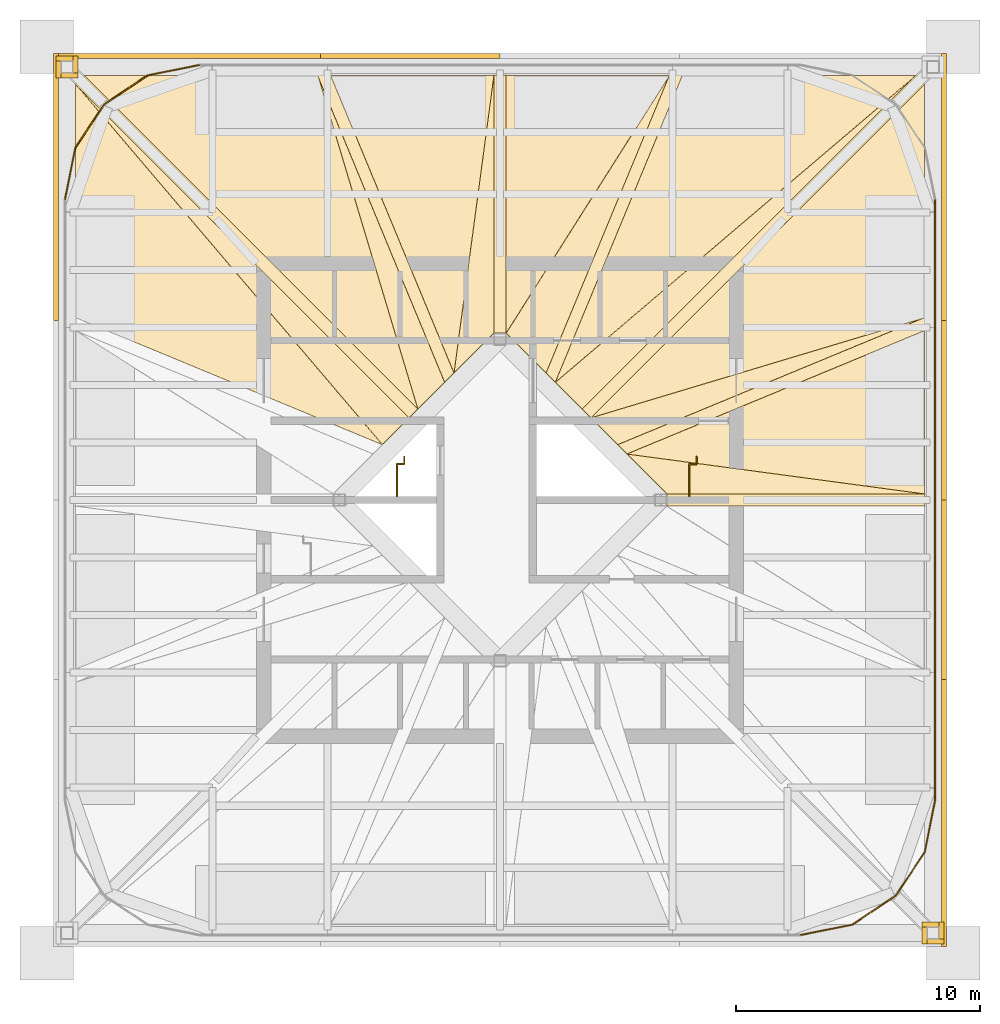
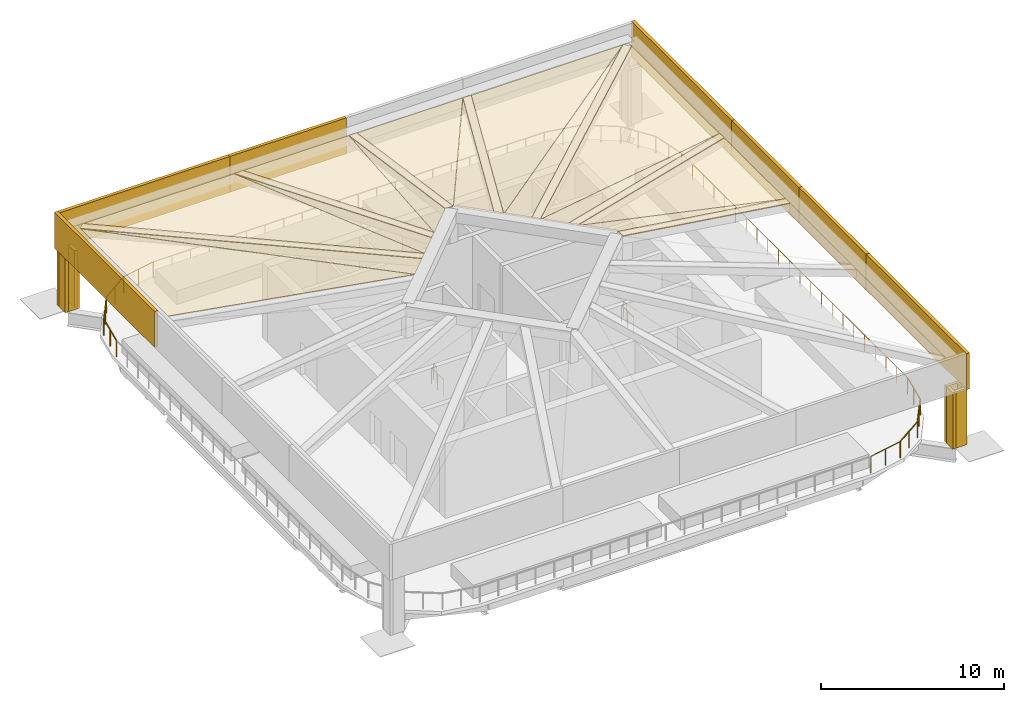
# One storey, part 5 of 7: 36 coverings, 11 railings.
"""IFC4 building model written with IfcOpenShell, lengths in metres."""

from ifc_helpers import new_model, si_unit, direction, frame, origin, origin_2d, place, context, subcontext, project, spatial, polyline, rectangle, circle, outline, extrude, material, type_object, element, save


model = new_model("IFC4")

# Units and contexts
model_context = context("Model", 3, precision=1e-05, world=origin(), true_north=direction((0.0, 1.0)))
body_context = subcontext(model_context, "Body", "Model", "MODEL_VIEW")
ifc_project = project(units=[si_unit("LENGTHUNIT", "METRE"), si_unit("AREAUNIT", "SQUARE_METRE"), si_unit("VOLUMEUNIT", "CUBIC_METRE"), si_unit("PLANEANGLEUNIT", "RADIAN"), si_unit("MASSUNIT", "GRAM", prefix="KILO")], contexts=[model_context])

# Site, building, storey
site_placement = place(None, origin())
site = spatial("IfcSite", under=ifc_project, at=site_placement, CompositionType="ELEMENT")
building_placement = place(site_placement, origin())
building = spatial("IfcBuilding", under=site, at=building_placement, Name="Turquesa Mirador Hotel Tower", CompositionType="ELEMENT")
storey_placement = place(building_placement, frame((0.0, 0.0, 272.199951171875)))
storey = spatial("IfcBuildingStorey", under=building, at=storey_placement, Name="RF", CompositionType="ELEMENT", Elevation=272.199951171875)

# Coverings
ifc_material_1 = material(Name="Laminated glass 30 with turquoise ceramic frit", Category="glass")
covering_type_1 = type_object("IfcCoveringType", Name="CANOPY GLAZING FRITTED LAMINATED GLASS 30", PredefinedType="ROOFING", material=ifc_material_1)
covering_1_placement = place(storey_placement, frame((72.36279296875, 45.254638671875, 5.540771484375), z_axis=(0.140146543021, 0.152174442535, 0.978366948296), x_axis=(-0.989895618344, 0.0, 0.141797971716)))
element("IfcCovering", 1, at=covering_1_placement, inside=storey, type_object=covering_type_1, Name="Canopy glazing panel 00A", PredefinedType="ROOFING", context=body_context, shape_type="SweptSolid", body=[
    extrude(outline(polyline([(0.0, 0.0), (10.618030823371836, -2.7755575615628914e-17), (12.22715590654455, -1.6476065702198543), (0.0, 0.0)])), origin(), (0.0, 0.0, -1.0), 0.030029296875),
])
covering_2_placement = place(storey_placement, frame((72.413818359375, 45.2509765625, 5.53369140625), z_axis=(0.121417439847, -0.000507131584, 0.992601404451), x_axis=(-0.98391055485, 0.13197959715, 0.120421783704)))
element("IfcCovering", 2, at=covering_2_placement, inside=storey, type_object=covering_type_1, Name="Canopy glazing panel 00B", PredefinedType="ROOFING", context=body_context, shape_type="SweptSolid", body=[
    extrude(outline(polyline([(0.0, 0.0), (12.399451466125619, -2.671474153004283e-16), (0.8833473696446735, -6.631366761543991), (0.0, 0.0)])), origin(), (0.0, 0.0, -1.0), 0.030029296875),
])
covering_3_placement = place(storey_placement, frame((72.347412109375, 52.45751953125, 5.521728515625), z_axis=(0.0864843884, 0.083829465191, 0.992720036732), x_axis=(-0.918058050237, -0.380269524934, 0.112091501911)))
element("IfcCovering", 3, at=covering_3_placement, inside=storey, type_object=covering_type_1, Name="Canopy glazing panel 01A", PredefinedType="ROOFING", context=body_context, shape_type="SweptSolid", body=[
    extrude(outline(polyline([(0.0, 0.0), (13.634577880056401, 1.3877787807814457e-17), (14.224031544865808, -1.4326945707328618), (0.0, 0.0)])), origin(), (0.0, 0.0, -1.0), 0.030029296875),
])
covering_4_placement = place(storey_placement, frame((72.413330078125, 52.48291015625, 5.513671875), z_axis=(0.112593240769, -0.002736664847, 0.993637395028), x_axis=(-0.952209765763, -0.286048563557, 0.107111069796)))
element("IfcCovering", 4, at=covering_4_placement, inside=storey, type_object=covering_type_1, Name="Canopy glazing panel 01B", PredefinedType="ROOFING", context=body_context, shape_type="SweptSolid", body=[
    extrude(outline(polyline([(0.0, 0.0), (14.371125632082473, 1.1796119636642288e-16), (-2.735657794729184, -9.174339874536502), (0.0, 0.0)])), origin(), (0.0, 0.0, -1.0), 0.030029296875),
])
covering_5_placement = place(storey_placement, frame((71.99560546875, 62.34912109375, 5.546875), z_axis=(0.053791096159, 0.056455563886, 0.996955007651), x_axis=(-0.704954897636, -0.704954897636, 0.077956299282)))
element("IfcCovering", 5, at=covering_5_placement, inside=storey, type_object=covering_type_1, Name="Canopy glazing panel 02A", PredefinedType="ROOFING", context=body_context, shape_type="SweptSolid", body=[
    extrude(outline(polyline([(0.0, 0.0), (19.32297543793521, 1.9606712087227862e-15), (19.322747050339657, -1.5502515051373624), (0.0, 0.0)])), origin(), (0.0, 0.0, -1.0), 0.030029296875),
])
covering_6_placement = place(storey_placement, frame((72.054931640625, 62.413818359375, 5.5400390625), z_axis=(-0.002733636071, 0.122318989595, 0.99248707398), x_axis=(-0.759250763198, -0.646161792557, 0.077544931642)))
element("IfcCovering", 6, at=covering_6_placement, inside=storey, type_object=covering_type_1, Name="Canopy glazing panel 02B", PredefinedType="ROOFING", context=body_context, shape_type="SweptSolid", body=[
    extrude(outline(polyline([(0.0, 0.0), (19.47270741814689, -2.0261570199409107e-15), (7.266261431425916, -6.232530115789368), (0.0, 0.0)])), origin(), (0.0, 0.0, -1.0), 0.030029296875),
])
covering_7_placement = place(storey_placement, frame((61.92919921875, 62.377197265625, 5.541259765625), z_axis=(0.094284064765, 0.082112226409, 0.992153263063), x_axis=(-0.380276827318, -0.918051901641, 0.112117083882)))
element("IfcCovering", 7, at=covering_7_placement, inside=storey, type_object=covering_type_1, Name="Canopy glazing panel 03A", PredefinedType="ROOFING", context=body_context, shape_type="SweptSolid", body=[
    extrude(outline(polyline([(0.0, 0.0), (13.250395494532532, -7.216449660063518e-16), (12.375079333425738, -2.1354155224615528), (0.0, 0.0)])), origin(), (0.0, 0.0, -1.0), 0.030029296875),
])
covering_8_placement = place(storey_placement, frame((61.939208984375, 62.414306640625, 5.537109375), z_axis=(-0.000469675937, 0.141792916437, 0.989896231053), x_axis=(-0.531180502718, -0.838733606668, 0.119888325443)))
element("IfcCovering", 8, at=covering_8_placement, inside=storey, type_object=covering_type_1, Name="Canopy glazing panel 03B", PredefinedType="ROOFING", context=body_context, shape_type="SweptSolid", body=[
    extrude(outline(polyline([(0.0, 0.0), (12.593099615185151, 5.412337245047638e-16), (3.5527968861685713, -5.667729809673278), (0.0, 0.0)])), origin(), (0.0, 0.0, -1.0), 0.030029296875),
])
covering_9_placement = place(storey_placement, frame((54.745361328125, 62.36279296875, 5.540771484375), z_axis=(-0.152174442535, 0.140146543021, 0.978366948296), x_axis=(0.0, -0.989895618344, 0.141797971716)))
element("IfcCovering", 9, at=covering_9_placement, inside=storey, type_object=covering_type_1, Name="Canopy glazing panel 04A", PredefinedType="ROOFING", context=body_context, shape_type="SweptSolid", body=[
    extrude(outline(polyline([(0.0, 0.0), (10.618030823371836, -2.7755575615628914e-17), (12.22715590654455, -1.6476065702198543), (0.0, 0.0)])), origin(), (0.0, 0.0, -1.0), 0.030029296875),
])
covering_10_placement = place(storey_placement, frame((54.7490234375, 62.413818359375, 5.53369140625), z_axis=(0.000507131584, 0.121417439847, 0.992601404451), x_axis=(-0.13197959715, -0.98391055485, 0.120421783704)))
element("IfcCovering", 10, at=covering_10_placement, inside=storey, type_object=covering_type_1, Name="Canopy glazing panel 04B", PredefinedType="ROOFING", context=body_context, shape_type="SweptSolid", body=[
    extrude(outline(polyline([(0.0, 0.0), (12.399451466125619, -2.671474153004283e-16), (0.8833473696446735, -6.631366761543991), (0.0, 0.0)])), origin(), (0.0, 0.0, -1.0), 0.030029296875),
])
covering_11_placement = place(storey_placement, frame((47.54248046875, 62.347412109375, 5.521728515625), z_axis=(-0.083829465191, 0.0864843884, 0.992720036732), x_axis=(0.380269524934, -0.918058050237, 0.112091501911)))
element("IfcCovering", 11, at=covering_11_placement, inside=storey, type_object=covering_type_1, Name="Canopy glazing panel 05A", PredefinedType="ROOFING", context=body_context, shape_type="SweptSolid", body=[
    extrude(outline(polyline([(0.0, 0.0), (13.634577880056401, 1.3877787807814457e-17), (14.224031544865808, -1.4326945707328618), (0.0, 0.0)])), origin(), (0.0, 0.0, -1.0), 0.030029296875),
])
covering_12_placement = place(storey_placement, frame((47.51708984375, 62.413330078125, 5.513671875), z_axis=(0.002736664847, 0.112593240769, 0.993637395028), x_axis=(0.286048563557, -0.952209765763, 0.107111069796)))
element("IfcCovering", 12, at=covering_12_placement, inside=storey, type_object=covering_type_1, Name="Canopy glazing panel 05B", PredefinedType="ROOFING", context=body_context, shape_type="SweptSolid", body=[
    extrude(outline(polyline([(0.0, 0.0), (14.371125632082473, 1.1796119636642288e-16), (-2.735657794729184, -9.174339874536502), (0.0, 0.0)])), origin(), (0.0, 0.0, -1.0), 0.030029296875),
])
covering_13_placement = place(storey_placement, frame((37.65087890625, 61.99560546875, 5.546875), z_axis=(-0.056455563886, 0.053791096159, 0.996955007651), x_axis=(0.704954897636, -0.704954897636, 0.077956299282)))
element("IfcCovering", 13, at=covering_13_placement, inside=storey, type_object=covering_type_1, Name="Canopy glazing panel 06A", PredefinedType="ROOFING", context=body_context, shape_type="SweptSolid", body=[
    extrude(outline(polyline([(0.0, 0.0), (19.32297543793521, 1.9606712087227862e-15), (19.322747050339657, -1.5502515051373624), (0.0, 0.0)])), origin(), (0.0, 0.0, -1.0), 0.030029296875),
])
covering_14_placement = place(storey_placement, frame((37.586181640625, 62.054931640625, 5.5400390625), z_axis=(-0.122318989595, -0.002733636071, 0.99248707398), x_axis=(0.646161792557, -0.759250763198, 0.077544931642)))
element("IfcCovering", 14, at=covering_14_placement, inside=storey, type_object=covering_type_1, Name="Canopy glazing panel 06B", PredefinedType="ROOFING", context=body_context, shape_type="SweptSolid", body=[
    extrude(outline(polyline([(0.0, 0.0), (19.47270741814689, -2.0261570199409107e-15), (7.266261431425916, -6.232530115789368), (0.0, 0.0)])), origin(), (0.0, 0.0, -1.0), 0.030029296875),
])
ifc_material_2 = material(Name="Aluminium, polyester powder coated", Category="aluminium")
covering_type_2 = type_object("IfcCoveringType", Name="CANOPY RIB CAPPING ALUMINIUM 500", PredefinedType="ROOFING", material=ifc_material_2)
covering_15_placement = place(storey_placement, frame((72.425048828125, 45.2470703125, 5.552490234375), z_axis=(0.141802259286, 0.0, 0.98989500416), x_axis=(-0.98989500416, 0.0, 0.141802259286)))
element("IfcCovering", 15, at=covering_15_placement, inside=storey, type_object=covering_type_2, Name="Canopy rib capping 00", PredefinedType="ROOFING", context=body_context, shape_type="SweptSolid", body=[
    extrude(outline(polyline([(0.0, 0.0), (10.677969193654548, 0.0), (10.677969193654548, 0.4941406250000001), (0.0, 0.4941406250000001), (0.0, 0.0)])), origin(), (0.0, 0.0, -1.0), 0.050048828125),
])
covering_16_placement = place(storey_placement, frame((72.42431640625, 52.48486328125, 5.53271484375), z_axis=(0.103661180195, 0.042679184692, 0.993696556759), x_axis=(-0.918049601042, -0.380286515965, 0.112103058841)))
element("IfcCovering", 16, at=covering_16_placement, inside=storey, type_object=covering_type_2, Name="Canopy rib capping 01", PredefinedType="ROOFING", context=body_context, shape_type="SweptSolid", body=[
    extrude(outline(polyline([(0.0, 0.0), (13.714211777663811, -2.122325752640375e-16), (13.505735021945688, 0.4938244459780998), (0.20840848133386103, 0.4942522946366913), (0.0, 0.0)])), origin(), (0.0, 0.0, -1.0), 0.050048828125),
])
covering_17_placement = place(storey_placement, frame((72.0693359375, 62.418701171875, 5.55908203125), z_axis=(0.055123793602, 0.055123793602, 0.996956736653), x_axis=(-0.704954869037, -0.704954869037, 0.077956816521)))
element("IfcCovering", 17, at=covering_17_placement, inside=storey, type_object=covering_type_2, Name="Canopy rib capping 02", PredefinedType="ROOFING", context=body_context, shape_type="SweptSolid", body=[
    extrude(outline(polyline([(0.0, 0.0), (19.42306297026465, 0.0), (19.423062970264652, 0.4940770526747791), (0.0, 0.49407705267478014), (0.0, 0.0)])), origin(), (0.0, 0.0, -1.0), 0.050048828125),
])
covering_18_placement = place(storey_placement, frame((61.948974609375, 62.422119140625, 5.555908203125), z_axis=(0.042679184692, 0.103661180195, 0.993696556759), x_axis=(-0.38025678932, -0.918061913305, 0.112103066484)))
element("IfcCovering", 18, at=covering_18_placement, inside=storey, type_object=covering_type_2, Name="Canopy rib capping 03", PredefinedType="ROOFING", context=body_context, shape_type="SweptSolid", body=[
    extrude(outline(polyline([(0.0, 0.0), (13.297326547494954, -5.950101522600448e-16), (13.505819192173247, 0.4938177378703442), (-0.20839257839164077, 0.4942590000362207), (0.0, 0.0)])), origin(), (0.0, 0.0, -1.0), 0.050048828125),
])
covering_19_placement = place(storey_placement, frame((54.7529296875, 62.425048828125, 5.552490234375), z_axis=(0.0, 0.141802259286, 0.98989500416), x_axis=(0.0, -0.98989500416, 0.141802259286)))
element("IfcCovering", 19, at=covering_19_placement, inside=storey, type_object=covering_type_2, Name="Canopy rib capping 04", PredefinedType="ROOFING", context=body_context, shape_type="SweptSolid", body=[
    extrude(outline(polyline([(0.0, 0.0), (10.677969193654548, 0.0), (10.677969193654548, 0.4941406250000001), (0.0, 0.4941406250000001), (0.0, 0.0)])), origin(), (0.0, 0.0, -1.0), 0.050048828125),
])
covering_20_placement = place(storey_placement, frame((47.51513671875, 62.42431640625, 5.53271484375), z_axis=(-0.042679184692, 0.103661180195, 0.993696556759), x_axis=(0.380286515965, -0.918049601042, 0.112103058841)))
element("IfcCovering", 20, at=covering_20_placement, inside=storey, type_object=covering_type_2, Name="Canopy rib capping 05", PredefinedType="ROOFING", context=body_context, shape_type="SweptSolid", body=[
    extrude(outline(polyline([(0.0, 0.0), (13.714211777663811, -2.122325752640375e-16), (13.505735021945688, 0.4938244459780998), (0.20840848133386103, 0.4942522946366913), (0.0, 0.0)])), origin(), (0.0, 0.0, -1.0), 0.050048828125),
])
covering_21_placement = place(storey_placement, frame((37.581298828125, 62.0693359375, 5.55908203125), z_axis=(-0.055123793602, 0.055123793602, 0.996956736653), x_axis=(0.704954869037, -0.704954869037, 0.077956816521)))
element("IfcCovering", 21, at=covering_21_placement, inside=storey, type_object=covering_type_2, Name="Canopy rib capping 06", PredefinedType="ROOFING", context=body_context, shape_type="SweptSolid", body=[
    extrude(outline(polyline([(0.0, 0.0), (19.42306297026465, 0.0), (19.423062970264652, 0.4940770526747791), (0.0, 0.49407705267478014), (0.0, 0.0)])), origin(), (0.0, 0.0, -1.0), 0.050048828125),
])
ifc_material_3 = material(Name="Glazed ceramic tile on aluminium carrier", Category="aluminium")
covering_type_3 = type_object("IfcCoveringType", Name="CROWN FASCIA 2400 GLAZED CERAMIC TILE", PredefinedType="CLADDING", material=ifc_material_3)
covering_22_placement = place(storey_placement, frame((73.219970703125, 32.15966796875, 3.800048828125), z_axis=(0.0, 0.0, 1.0), x_axis=(1.0, 0.0, 0.0)))
element("IfcCovering", 22, at=covering_22_placement, inside=storey, type_object=covering_type_3, Name="Crown fascia E1", PredefinedType="CLADDING", context=body_context, shape_type="SweptSolid", body=[
    extrude(rectangle(XDim=0.199951171875, YDim=10.95947265625, at=origin_2d()), origin(), (0.0, 0.0, 1.0), 2.39990234375),
])
for number, where, z_axis, x_axis, name in (
    (23, (73.219970703125, 41.31982421875, 3.800048828125), (0.0, 0.0, 1.0), (1.0, 0.0, 0.0), "Crown fascia E2"),
    (24, (73.219970703125, 48.68017578125, 3.800048828125), (0.0, 0.0, 1.0), (1.0, 0.0, 0.0), "Crown fascia E3"),
):
    element("IfcCovering", number, at=place(storey_placement, frame(where, z_axis=z_axis, x_axis=x_axis)), inside=storey, type_object=covering_type_3, Name=name, PredefinedType="CLADDING", context=body_context, shape_type="SweptSolid", body=[
        extrude(rectangle(XDim=0.199951171875, YDim=7.360595703125, at=origin_2d()), origin(), (0.0, 0.0, 1.0), 2.39990234375),
    ])
for number, where, z_axis, x_axis, name in (
    (25, (73.219970703125, 57.84033203125, 3.800048828125), (0.0, 0.0, 1.0), (1.0, 0.0, 0.0), "Crown fascia E4"),
    (26, (36.780029296875, 57.84033203125, 3.800048828125), (0.0, 0.0, 1.0), (1.0, 0.0, 0.0), "Crown fascia W4"),
):
    element("IfcCovering", number, at=place(storey_placement, frame(where, z_axis=z_axis, x_axis=x_axis)), inside=storey, type_object=covering_type_3, Name=name, PredefinedType="CLADDING", context=body_context, shape_type="SweptSolid", body=[
        extrude(rectangle(XDim=0.199951171875, YDim=10.95947265625, at=origin_2d()), origin(), (0.0, 0.0, 1.0), 2.39990234375),
    ])
covering_23_placement = place(storey_placement, frame((42.259765625, 63.219970703125, 3.800048828125), z_axis=(0.0, 0.0, 1.0), x_axis=(1.0, 0.0, 0.0)))
element("IfcCovering", 27, at=covering_23_placement, inside=storey, type_object=covering_type_3, Name="Crown fascia N1", PredefinedType="CLADDING", context=body_context, shape_type="SweptSolid", body=[
    extrude(rectangle(XDim=10.759521484375, YDim=0.199951171875, at=origin_2d()), origin(), (0.0, 0.0, 1.0), 2.39990234375),
])
covering_24_placement = place(storey_placement, frame((51.31982421875, 63.219970703125, 3.800048828125), z_axis=(0.0, 0.0, 1.0), x_axis=(1.0, 0.0, 0.0)))
element("IfcCovering", 28, at=covering_24_placement, inside=storey, type_object=covering_type_3, Name="Crown fascia N2", PredefinedType="CLADDING", context=body_context, shape_type="SweptSolid", body=[
    extrude(rectangle(XDim=7.360595703125, YDim=0.199951171875, at=origin_2d()), origin(), (0.0, 0.0, 1.0), 2.39990234375),
])

# Railings
ifc_material_4 = material(Name="Bronze-finish steel and laminated glass", Category="steel")
railing_type = type_object("IfcRailingType", Name="GUARD 1100 BRONZE AND GLASS", PredefinedType="GUARDRAIL", material=ifc_material_4)
railing_1_placement = place(storey_placement, frame((67.35009765625, 27.14990234375, 0.0)))
element("IfcRailing", 29, at=railing_1_placement, inside=storey, type_object=railing_type, Name="Sky garden guard", PredefinedType="GUARDRAIL", context=body_context, shape_type="SweptSolid", body=[
    extrude(circle(Radius=0.02392578125, at=origin_2d()), frame((0.0, 0.0, 1.076171875), z_axis=(0.980781438528, 0.195109635434, 0.0), x_axis=(-0.195109635434, 0.980781438528, 0.0)), (0.0, 0.0, 1.0), 2.14599609375),
    extrude(circle(Radius=0.02099609375, at=origin_2d()), origin(), (0.0, 0.0, 1.0), 1.052001953125),
    extrude(circle(Radius=0.02099609375, at=origin_2d()), frame((1.05224609375, 0.20947265625, 0.0)), (0.0, 0.0, 1.0), 1.052001953125),
    extrude(circle(Radius=0.02099609375, at=origin_2d()), frame((2.104736328125, 0.418701171875, 0.0)), (0.0, 0.0, 1.0), 1.052001953125),
])
railing_2_placement = place(storey_placement, frame((69.454833984375, 27.568603515625, 0.0)))
element("IfcRailing", 30, at=railing_2_placement, inside=storey, type_object=railing_type, Name="Sky garden guard", PredefinedType="GUARDRAIL", context=body_context, shape_type="SweptSolid", body=[
    extrude(circle(Radius=0.02392578125, at=origin_2d()), frame((0.0, 0.0, 1.076171875), z_axis=(0.831419655472, 0.555644991424, 0.0), x_axis=(-0.555644991424, 0.831419655472, 0.0)), (0.0, 0.0, 1.0), 2.14599609375),
    extrude(circle(Radius=0.02099609375, at=origin_2d()), origin(), (0.0, 0.0, 1.0), 1.052001953125),
    extrude(circle(Radius=0.02099609375, at=origin_2d()), frame((0.89208984375, 0.59619140625, 0.0)), (0.0, 0.0, 1.0), 1.052001953125),
    extrude(circle(Radius=0.02099609375, at=origin_2d()), frame((1.7841796875, 1.1923828125, 0.0)), (0.0, 0.0, 1.0), 1.052001953125),
])
railing_3_placement = place(storey_placement, frame((71.239013671875, 28.760986328125, 0.0)))
element("IfcRailing", 31, at=railing_3_placement, inside=storey, type_object=railing_type, Name="Sky garden guard", PredefinedType="GUARDRAIL", context=body_context, shape_type="SweptSolid", body=[
    extrude(circle(Radius=0.02392578125, at=origin_2d()), frame((0.0, 0.0, 1.076171875), z_axis=(0.555644991424, 0.831419655472, 0.0), x_axis=(-0.831419655472, 0.555644991424, 0.0)), (0.0, 0.0, 1.0), 2.14599609375),
    extrude(circle(Radius=0.02099609375, at=origin_2d()), origin(), (0.0, 0.0, 1.0), 1.052001953125),
    extrude(circle(Radius=0.02099609375, at=origin_2d()), frame((0.59619140625, 0.89208984375, 0.0)), (0.0, 0.0, 1.0), 1.052001953125),
    extrude(circle(Radius=0.02099609375, at=origin_2d()), frame((1.1923828125, 1.7841796875, 0.0)), (0.0, 0.0, 1.0), 1.052001953125),
])
railing_4_placement = place(storey_placement, frame((72.431396484375, 30.545166015625, 0.0)))
element("IfcRailing", 32, at=railing_4_placement, inside=storey, type_object=railing_type, Name="Sky garden guard", PredefinedType="GUARDRAIL", context=body_context, shape_type="SweptSolid", body=[
    extrude(circle(Radius=0.02392578125, at=origin_2d()), frame((0.0, 0.0, 1.076171875), z_axis=(0.195109635434, 0.980781438528, 0.0), x_axis=(-0.980781438528, 0.195109635434, 0.0)), (0.0, 0.0, 1.0), 2.14599609375),
    extrude(circle(Radius=0.02099609375, at=origin_2d()), origin(), (0.0, 0.0, 1.0), 1.052001953125),
    extrude(circle(Radius=0.02099609375, at=origin_2d()), frame((0.20947265625, 1.05224609375, 0.0)), (0.0, 0.0, 1.0), 1.052001953125),
    extrude(circle(Radius=0.02099609375, at=origin_2d()), frame((0.418701171875, 2.104736328125, 0.0)), (0.0, 0.0, 1.0), 1.052001953125),
])
railing_5_placement = place(storey_placement, frame((72.85009765625, 32.64990234375, 0.0)))
element("IfcRailing", 33, at=railing_5_placement, inside=storey, type_object=railing_type, Name="Sky garden guard", PredefinedType="GUARDRAIL", context=body_context, shape_type="SweptSolid", body=[
    extrude(circle(Radius=0.02392578125, at=origin_2d()), frame((0.0, 0.0, 1.076171875), z_axis=(0.0, 1.0, 0.0), x_axis=(-1.0, 0.0, 0.0)), (0.0, 0.0, 1.0), 24.7001953125),
    extrude(circle(Radius=0.02099609375, at=origin_2d()), origin(), (0.0, 0.0, 1.0), 1.052001953125),
    extrude(circle(Radius=0.02099609375, at=origin_2d()), frame((0.0, 1.17626953125, 0.0)), (0.0, 0.0, 1.0), 1.052001953125),
    extrude(circle(Radius=0.02099609375, at=origin_2d()), frame((0.0, 2.352294921875, 0.0)), (0.0, 0.0, 1.0), 1.052001953125),
    extrude(circle(Radius=0.02099609375, at=origin_2d()), frame((0.0, 3.528564453125, 0.0)), (0.0, 0.0, 1.0), 1.052001953125),
    extrude(circle(Radius=0.02099609375, at=origin_2d()), frame((0.0, 4.704833984375, 0.0)), (0.0, 0.0, 1.0), 1.052001953125),
    extrude(circle(Radius=0.02099609375, at=origin_2d()), frame((0.0, 5.881103515625, 0.0)), (0.0, 0.0, 1.0), 1.052001953125),
    extrude(circle(Radius=0.02099609375, at=origin_2d()), frame((0.0, 7.05712890625, 0.0)), (0.0, 0.0, 1.0), 1.052001953125),
    extrude(circle(Radius=0.02099609375, at=origin_2d()), frame((0.0, 8.2333984375, 0.0)), (0.0, 0.0, 1.0), 1.052001953125),
    extrude(circle(Radius=0.02099609375, at=origin_2d()), frame((0.0, 9.40966796875, 0.0)), (0.0, 0.0, 1.0), 1.052001953125),
    extrude(circle(Radius=0.02099609375, at=origin_2d()), frame((0.0, 10.585693359375, 0.0)), (0.0, 0.0, 1.0), 1.052001953125),
    extrude(circle(Radius=0.02099609375, at=origin_2d()), frame((0.0, 11.761962890625, 0.0)), (0.0, 0.0, 1.0), 1.052001953125),
    extrude(circle(Radius=0.02099609375, at=origin_2d()), frame((0.0, 12.938232421875, 0.0)), (0.0, 0.0, 1.0), 1.052001953125),
    extrude(circle(Radius=0.02099609375, at=origin_2d()), frame((0.0, 14.114501953125, 0.0)), (0.0, 0.0, 1.0), 1.052001953125),
    extrude(circle(Radius=0.02099609375, at=origin_2d()), frame((0.0, 15.29052734375, 0.0)), (0.0, 0.0, 1.0), 1.052001953125),
    extrude(circle(Radius=0.02099609375, at=origin_2d()), frame((0.0, 16.466796875, 0.0)), (0.0, 0.0, 1.0), 1.052001953125),
    extrude(circle(Radius=0.02099609375, at=origin_2d()), frame((0.0, 17.64306640625, 0.0)), (0.0, 0.0, 1.0), 1.052001953125),
    extrude(circle(Radius=0.02099609375, at=origin_2d()), frame((0.0, 18.819091796875, 0.0)), (0.0, 0.0, 1.0), 1.052001953125),
    extrude(circle(Radius=0.02099609375, at=origin_2d()), frame((0.0, 19.995361328125, 0.0)), (0.0, 0.0, 1.0), 1.052001953125),
    extrude(circle(Radius=0.02099609375, at=origin_2d()), frame((0.0, 21.171630859375, 0.0)), (0.0, 0.0, 1.0), 1.052001953125),
    extrude(circle(Radius=0.02099609375, at=origin_2d()), frame((0.0, 22.347900390625, 0.0)), (0.0, 0.0, 1.0), 1.052001953125),
    extrude(circle(Radius=0.02099609375, at=origin_2d()), frame((0.0, 23.52392578125, 0.0)), (0.0, 0.0, 1.0), 1.052001953125),
    extrude(circle(Radius=0.02099609375, at=origin_2d()), frame((0.0, 24.7001953125, 0.0)), (0.0, 0.0, 1.0), 1.052001953125),
])
railing_6_placement = place(storey_placement, frame((42.64990234375, 62.85009765625, 0.0)))
element("IfcRailing", 34, at=railing_6_placement, inside=storey, type_object=railing_type, Name="Sky garden guard", PredefinedType="GUARDRAIL", context=body_context, shape_type="SweptSolid", body=[
    extrude(circle(Radius=0.02392578125, at=origin_2d()), frame((0.0, 0.0, 1.076171875), z_axis=(-0.980781438528, -0.195109635434, 0.0), x_axis=(0.195109635434, -0.980781438528, 0.0)), (0.0, 0.0, 1.0), 2.14599609375),
    extrude(circle(Radius=0.02099609375, at=origin_2d()), origin(), (0.0, 0.0, 1.0), 1.052001953125),
    extrude(circle(Radius=0.02099609375, at=origin_2d()), frame((-1.05224609375, -0.20947265625, 0.0)), (0.0, 0.0, 1.0), 1.052001953125),
    extrude(circle(Radius=0.02099609375, at=origin_2d()), frame((-2.104736328125, -0.418701171875, 0.0)), (0.0, 0.0, 1.0), 1.052001953125),
])
railing_7_placement = place(storey_placement, frame((40.545166015625, 62.431396484375, 0.0)))
element("IfcRailing", 35, at=railing_7_placement, inside=storey, type_object=railing_type, Name="Sky garden guard", PredefinedType="GUARDRAIL", context=body_context, shape_type="SweptSolid", body=[
    extrude(circle(Radius=0.02392578125, at=origin_2d()), frame((0.0, 0.0, 1.076171875), z_axis=(-0.831419655472, -0.555644991424, 0.0), x_axis=(0.555644991424, -0.831419655472, 0.0)), (0.0, 0.0, 1.0), 2.14599609375),
    extrude(circle(Radius=0.02099609375, at=origin_2d()), origin(), (0.0, 0.0, 1.0), 1.052001953125),
    extrude(circle(Radius=0.02099609375, at=origin_2d()), frame((-0.89208984375, -0.59619140625, 0.0)), (0.0, 0.0, 1.0), 1.052001953125),
    extrude(circle(Radius=0.02099609375, at=origin_2d()), frame((-1.7841796875, -1.1923828125, 0.0)), (0.0, 0.0, 1.0), 1.052001953125),
])
railing_8_placement = place(storey_placement, frame((38.760986328125, 61.239013671875, 0.0)))
element("IfcRailing", 36, at=railing_8_placement, inside=storey, type_object=railing_type, Name="Sky garden guard", PredefinedType="GUARDRAIL", context=body_context, shape_type="SweptSolid", body=[
    extrude(circle(Radius=0.02392578125, at=origin_2d()), frame((0.0, 0.0, 1.076171875), z_axis=(-0.555644991424, -0.831419655472, 0.0), x_axis=(0.831419655472, -0.555644991424, 0.0)), (0.0, 0.0, 1.0), 2.14599609375),
    extrude(circle(Radius=0.02099609375, at=origin_2d()), origin(), (0.0, 0.0, 1.0), 1.052001953125),
    extrude(circle(Radius=0.02099609375, at=origin_2d()), frame((-0.59619140625, -0.89208984375, 0.0)), (0.0, 0.0, 1.0), 1.052001953125),
    extrude(circle(Radius=0.02099609375, at=origin_2d()), frame((-1.1923828125, -1.7841796875, 0.0)), (0.0, 0.0, 1.0), 1.052001953125),
])
railing_9_placement = place(storey_placement, frame((37.568603515625, 59.454833984375, 0.0)))
element("IfcRailing", 37, at=railing_9_placement, inside=storey, type_object=railing_type, Name="Sky garden guard", PredefinedType="GUARDRAIL", context=body_context, shape_type="SweptSolid", body=[
    extrude(circle(Radius=0.02392578125, at=origin_2d()), frame((0.0, 0.0, 1.076171875), z_axis=(-0.195109635434, -0.980781438528, 0.0), x_axis=(0.980781438528, -0.195109635434, 0.0)), (0.0, 0.0, 1.0), 2.14599609375),
    extrude(circle(Radius=0.02099609375, at=origin_2d()), origin(), (0.0, 0.0, 1.0), 1.052001953125),
    extrude(circle(Radius=0.02099609375, at=origin_2d()), frame((-0.20947265625, -1.05224609375, 0.0)), (0.0, 0.0, 1.0), 1.052001953125),
    extrude(circle(Radius=0.02099609375, at=origin_2d()), frame((-0.418701171875, -2.104736328125, 0.0)), (0.0, 0.0, 1.0), 1.052001953125),
])
for number, where, name in (
    (38, (50.77001953125, 45.14990234375, 0.0), "Stair guard ST1"),
    (39, (62.77001953125, 45.14990234375, 0.0), "Stair guard ST3"),
):
    element("IfcRailing", number, at=place(storey_placement, frame(where)), inside=storey, type_object=railing_type, Name=name, PredefinedType="GUARDRAIL", context=body_context, shape_type="SweptSolid", body=[
        extrude(circle(Radius=0.02392578125, at=origin_2d()), frame((0.0, 0.0, 1.076171875), z_axis=(0.0, 1.0, 0.0), x_axis=(-1.0, 0.0, 0.0)), (0.0, 0.0, 1.0), 1.330078125),
        extrude(circle(Radius=0.02392578125, at=origin_2d()), frame((0.0, 1.330078125, 1.076171875), z_axis=(1.0, 0.0, 0.0), x_axis=(0.0, 1.0, 0.0)), (0.0, 0.0, 1.0), 0.300048828125),
        extrude(circle(Radius=0.02392578125, at=origin_2d()), frame((0.300048828125, 1.330078125, 1.076171875), z_axis=(0.0, 1.0, 0.0), x_axis=(-1.0, 0.0, 0.0)), (0.0, 0.0, 1.0), 0.2900390625),
        extrude(circle(Radius=0.02099609375, at=origin_2d()), origin(), (0.0, 0.0, 1.0), 1.052001953125),
        extrude(circle(Radius=0.02099609375, at=origin_2d()), frame((0.0, 0.6650390625, 0.0)), (0.0, 0.0, 1.0), 1.052001953125),
        extrude(circle(Radius=0.02099609375, at=origin_2d()), frame((0.0, 1.330078125, 0.0)), (0.0, 0.0, 1.0), 1.052001953125),
        extrude(circle(Radius=0.02099609375, at=origin_2d()), frame((0.300048828125, 1.330078125, 0.0)), (0.0, 0.0, 1.0), 1.052001953125),
        extrude(circle(Radius=0.02099609375, at=origin_2d()), frame((0.300048828125, 1.6201171875, 0.0)), (0.0, 0.0, 1.0), 1.052001953125),
    ])

# Coverings
ifc_material_5 = material(Name="Glazed ceramic tile on aluminium carrier", Category="aluminium")
covering_type_4 = type_object("IfcCoveringType", Name="POST CASING 900 GLAZED CERAMIC TILE", PredefinedType="CLADDING", material=ifc_material_5)
covering_25_placement = place(storey_placement, frame((37.580078125, 62.8701171875, 0.0400390625), z_axis=(0.0, 0.0, 1.0), x_axis=(1.0, 0.0, 0.0)))
element("IfcCovering", 40, at=covering_25_placement, inside=storey, type_object=covering_type_4, Name="Canopy post 2 casing E", PredefinedType="CLADDING", context=body_context, shape_type="SweptSolid", body=[
    extrude(rectangle(XDim=0.199951171875, YDim=0.699951171875, at=origin_2d()), origin(), (0.0, 0.0, 1.0), 3.760009765625),
])
covering_26_placement = place(storey_placement, frame((37.1298828125, 63.1201171875, 0.0400390625), z_axis=(0.0, 0.0, 1.0), x_axis=(1.0, 0.0, 0.0)))
element("IfcCovering", 41, at=covering_26_placement, inside=storey, type_object=covering_type_4, Name="Canopy post 2 casing N", PredefinedType="CLADDING", context=body_context, shape_type="SweptSolid", body=[
    extrude(rectangle(XDim=0.699951171875, YDim=0.199951171875, at=origin_2d()), origin(), (0.0, 0.0, 1.0), 3.760009765625),
])
covering_27_placement = place(storey_placement, frame((36.8798828125, 62.669921875, 0.0400390625), z_axis=(0.0, 0.0, 1.0), x_axis=(1.0, 0.0, 0.0)))
element("IfcCovering", 42, at=covering_27_placement, inside=storey, type_object=covering_type_4, Name="Canopy post 2 casing W", PredefinedType="CLADDING", context=body_context, shape_type="SweptSolid", body=[
    extrude(rectangle(XDim=0.199951171875, YDim=0.699951171875, at=origin_2d()), origin(), (0.0, 0.0, 1.0), 3.760009765625),
])
covering_28_placement = place(storey_placement, frame((37.330078125, 62.419921875, 0.0400390625), z_axis=(0.0, 0.0, 1.0), x_axis=(1.0, 0.0, 0.0)))
element("IfcCovering", 43, at=covering_28_placement, inside=storey, type_object=covering_type_4, Name="Canopy post 2 casing S", PredefinedType="CLADDING", context=body_context, shape_type="SweptSolid", body=[
    extrude(rectangle(XDim=0.699951171875, YDim=0.199951171875, at=origin_2d()), origin(), (0.0, 0.0, 1.0), 3.760009765625),
])
covering_29_placement = place(storey_placement, frame((73.1201171875, 27.330078125, 0.0400390625), z_axis=(0.0, 0.0, 1.0), x_axis=(1.0, 0.0, 0.0)))
element("IfcCovering", 44, at=covering_29_placement, inside=storey, type_object=covering_type_4, Name="Canopy post 4 casing E", PredefinedType="CLADDING", context=body_context, shape_type="SweptSolid", body=[
    extrude(rectangle(XDim=0.199951171875, YDim=0.699951171875, at=origin_2d()), origin(), (0.0, 0.0, 1.0), 3.760009765625),
])
covering_30_placement = place(storey_placement, frame((72.669921875, 27.580078125, 0.0400390625), z_axis=(0.0, 0.0, 1.0), x_axis=(1.0, 0.0, 0.0)))
element("IfcCovering", 45, at=covering_30_placement, inside=storey, type_object=covering_type_4, Name="Canopy post 4 casing N", PredefinedType="CLADDING", context=body_context, shape_type="SweptSolid", body=[
    extrude(rectangle(XDim=0.699951171875, YDim=0.199951171875, at=origin_2d()), origin(), (0.0, 0.0, 1.0), 3.760009765625),
])
covering_31_placement = place(storey_placement, frame((72.419921875, 27.1298828125, 0.0400390625), z_axis=(0.0, 0.0, 1.0), x_axis=(1.0, 0.0, 0.0)))
element("IfcCovering", 46, at=covering_31_placement, inside=storey, type_object=covering_type_4, Name="Canopy post 4 casing W", PredefinedType="CLADDING", context=body_context, shape_type="SweptSolid", body=[
    extrude(rectangle(XDim=0.199951171875, YDim=0.699951171875, at=origin_2d()), origin(), (0.0, 0.0, 1.0), 3.760009765625),
])
covering_32_placement = place(storey_placement, frame((72.8701171875, 26.8798828125, 0.0400390625), z_axis=(0.0, 0.0, 1.0), x_axis=(1.0, 0.0, 0.0)))
element("IfcCovering", 47, at=covering_32_placement, inside=storey, type_object=covering_type_4, Name="Canopy post 4 casing S", PredefinedType="CLADDING", context=body_context, shape_type="SweptSolid", body=[
    extrude(rectangle(XDim=0.699951171875, YDim=0.199951171875, at=origin_2d()), origin(), (0.0, 0.0, 1.0), 3.760009765625),
])

save(model, "model.ifc")
